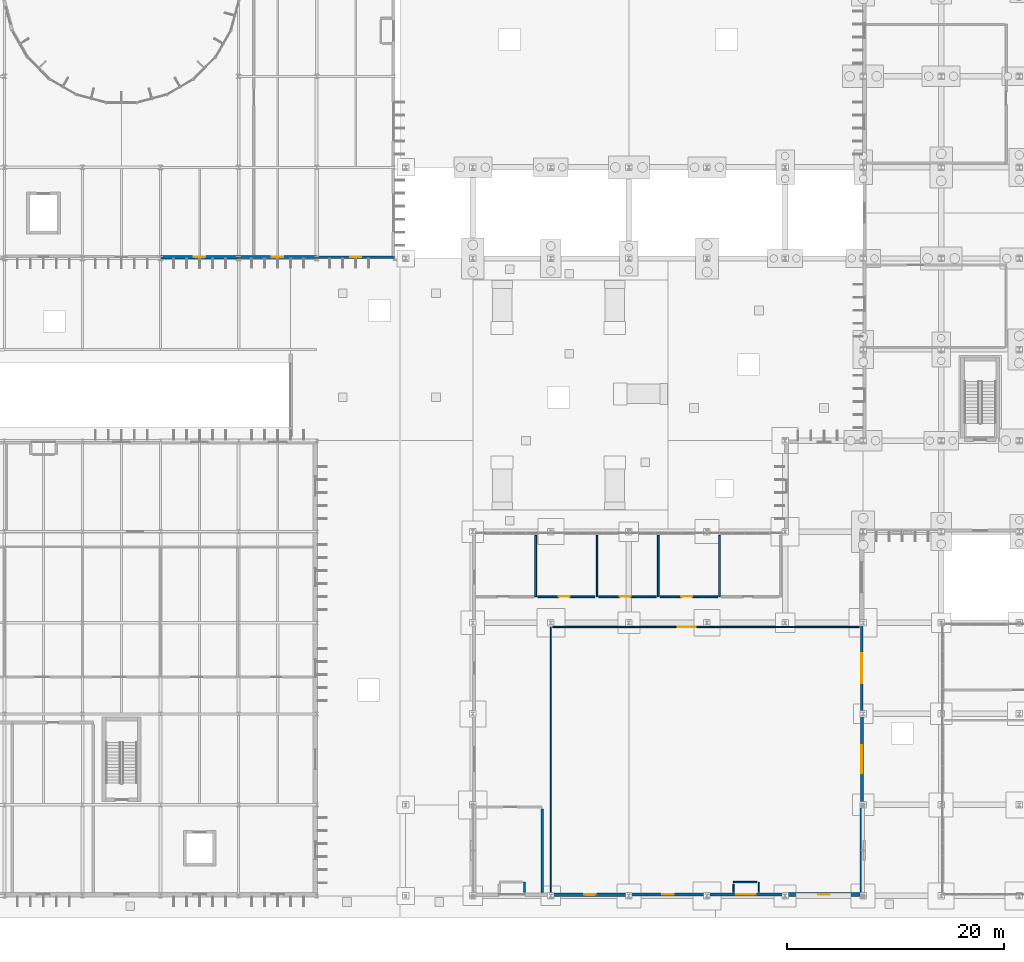
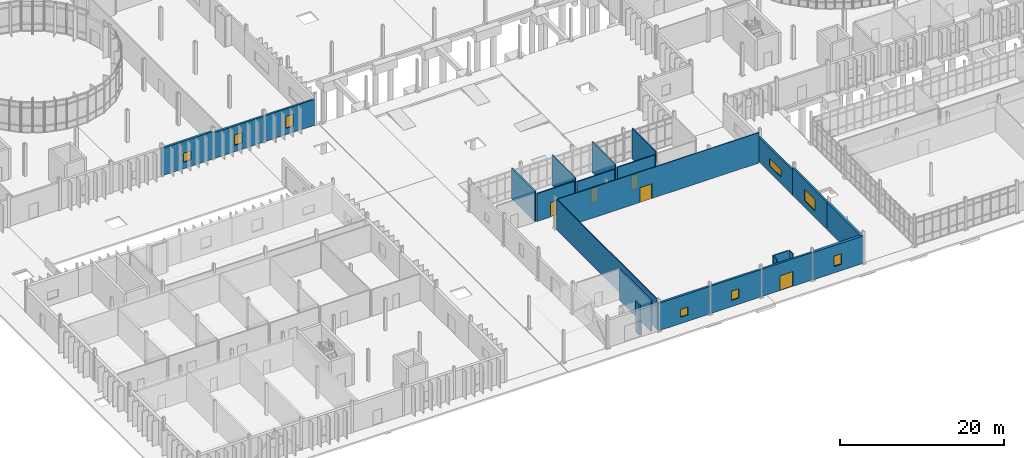
# One storey, part 91 of 118: 24 walls, 8 windows, 5 doors, 13 openings.
"""IFC4 building model written with IfcOpenShell, lengths in metres."""

from ifc_helpers import new_model, si_unit, direction, frame, frame_2d, origin, place, context, subcontext, project, spatial, rectangle, extrude, material, layer, layer_set, type_object, element, fill, save


model = new_model("IFC4")

# Units and contexts
model_context = context("Model", 3, precision=1e-05, world=origin(), true_north=direction((0.0, 1.0)))
body_context = subcontext(model_context, "Body", "Model", "MODEL_VIEW")
ifc_project = project(units=[si_unit("LENGTHUNIT", "METRE"), si_unit("AREAUNIT", "SQUARE_METRE"), si_unit("VOLUMEUNIT", "CUBIC_METRE"), si_unit("PLANEANGLEUNIT", "RADIAN"), si_unit("MASSUNIT", "GRAM", prefix="KILO")], contexts=[model_context])

# Site, building, storey
site_placement = place(None, origin())
site = spatial("IfcSite", under=ifc_project, at=site_placement, CompositionType="ELEMENT")
building_placement = place(site_placement, origin())
building = spatial("IfcBuilding", under=site, at=building_placement, Name="Qelthora Terrace Specialist Clinic", CompositionType="ELEMENT")
storey_placement = place(building_placement, origin())
storey = spatial("IfcBuildingStorey", under=building, at=storey_placement, Name="L00", CompositionType="ELEMENT", Elevation=0.0)

# Wall, opening, door
ifc_material_1 = material(Name="Precast concrete C40/50", Category="concrete")
ifc_layer_1 = layer(ifc_material_1, 0.260009765625)
ifc_layer_set_1 = layer_set([ifc_layer_1], Name="Precast concrete C40/50")
wall_type_1 = type_object("IfcWallType", Name="WAL-EXT-260-PC40", PredefinedType="SOLIDWALL", material=ifc_layer_set_1)
wall_1_placement = place(storey_placement, frame((79.199951171875, 0.1201171875, 0.0), z_axis=(0.0, 0.0, 1.0), x_axis=(1.0, 0.0, 0.0)))
wall_1 = element("IfcWall", 1, at=wall_1_placement, inside=storey, type_object=wall_type_1, Name="L00 external precast wall 4", PredefinedType="SOLIDWALL", context=body_context, shape_type="SweptSolid", body=[
    extrude(rectangle(XDim=7.199951171875, YDim=0.260009765625, at=frame_2d((3.60009765625, 0.0))), origin(), (0.0, 0.0, 1.0), 4.08203125),
])
opening_1_placement = place(wall_1_placement, frame((2.699951171875, 0.0, 0.0)))
opening_1 = element("IfcOpeningElement", 2, at=opening_1_placement, cuts=wall_1, Name="Opening DE-HALL-02", PredefinedType="OPENING", context=body_context, shape_type="SweptSolid", body=[
    extrude(rectangle(XDim=1.800048828125, YDim=2.199951171875, at=frame_2d((0.89990234375, 1.10009765625))), frame((0.0, 0.139892578125, 0.0), z_axis=(0.0, -1.0, 0.0), x_axis=(1.0, 0.0, 0.0)), (0.0, 0.0, 1.0), 0.280029296875),
])
ifc_material_2 = material(Name="Steel S355", Category="steel")
door_type_1 = type_object("IfcDoorType", Name="DOR-EXT-1800X2200", OperationType="NOTDEFINED", PredefinedType="DOOR", material=ifc_material_2)
door_1_placement = place(opening_1_placement, frame((1.800048828125, 0.0, 0.0), z_axis=(0.0, 0.0, 1.0), x_axis=(-1.0, 0.0, 0.0)))
door_1 = element("IfcDoor", 3, at=door_1_placement, inside=storey, type_object=door_type_1, Name="Exterior entrance/exit door DE-HALL-02", OperationType="DOUBLE_DOOR_SINGLE_SWING", OverallHeight=2.199951171875, OverallWidth=1.800048828125, PredefinedType="DOOR", context=body_context, shape_type="SweptSolid", body=[
    extrude(rectangle(XDim=1.800048828125, YDim=2.199951171875, at=frame_2d((0.89990234375, 1.10009765625))), frame((0.0, 0.02490234375, 0.0), z_axis=(0.0, -1.0, 0.0), x_axis=(1.0, 0.0, 0.0)), (0.0, 0.0, 1.0), 0.050048828125),
])
fill(opening_1, door_1)

# Wall, opening, window
wall_2_placement = place(storey_placement, frame((93.47998046875, 16.800048828125, 0.0), z_axis=(0.0, 0.0, 1.0), x_axis=(0.0, 1.0, 0.0)))
wall_2 = element("IfcWall", 4, at=wall_2_placement, inside=storey, type_object=wall_type_1, Name="L00 external precast wall 59", PredefinedType="SOLIDWALL", context=body_context, shape_type="SweptSolid", body=[
    extrude(rectangle(XDim=8.39990234375, YDim=0.260009765625, at=frame_2d((4.199951171875, 0.0))), origin(), (0.0, 0.0, 1.0), 3.69091796875),
])
opening_2_placement = place(wall_2_placement, frame((2.800048828125, 0.0, 0.949951171875)))
opening_2 = element("IfcOpeningElement", 5, at=opening_2_placement, cuts=wall_2, Name="Opening WN-L00-045", PredefinedType="OPENING", context=body_context, shape_type="SweptSolid", body=[
    extrude(rectangle(XDim=2.800048828125, YDim=1.14990234375, at=frame_2d((1.39990234375, 0.574951171875))), frame((0.0, 0.139892578125, 0.0), z_axis=(0.0, -1.0, 0.0), x_axis=(1.0, 0.0, 0.0)), (0.0, 0.0, 1.0), 0.280029296875),
])
ifc_material_3 = material(Name="Low-E triple-silver insulating glass", Category="glass")
window_type_1 = type_object("IfcWindowType", Name="WIN-2800X1150", PartitioningType="DOUBLE_PANEL_VERTICAL", PredefinedType="WINDOW", material=ifc_material_3)
window_1_placement = place(opening_2_placement, origin())
window_1 = element("IfcWindow", 6, at=window_1_placement, inside=storey, type_object=window_type_1, Name="Clinical window WN-L00-045", OverallHeight=1.14990234375, OverallWidth=2.800048828125, PartitioningType="SINGLE_PANEL", PredefinedType="WINDOW", context=body_context, shape_type="SweptSolid", body=[
    extrude(rectangle(XDim=2.800048828125, YDim=1.14990234375, at=frame_2d((1.39990234375, 0.574951171875))), frame((0.0, 0.030029296875, 0.0), z_axis=(0.0, -1.0, 0.0), x_axis=(1.0, 0.0, 0.0)), (0.0, 0.0, 1.0), 0.06005859375),
])
fill(opening_2, window_1)

wall_3_placement = place(storey_placement, frame((43.199951171875, 58.919921875, 0.0), z_axis=(0.0, 0.0, 1.0), x_axis=(1.0, 0.0, 0.0)))
wall_3 = element("IfcWall", 7, at=wall_3_placement, inside=storey, type_object=wall_type_1, Name="L00 external precast wall 89", PredefinedType="SOLIDWALL", context=body_context, shape_type="SweptSolid", body=[
    extrude(rectangle(XDim=7.199951171875, YDim=0.260009765625, at=frame_2d((3.60009765625, 0.0))), origin(), (0.0, 0.0, 1.0), 3.84912109375),
])
opening_3_placement = place(wall_3_placement, frame((3.074951171875, 0.0, 0.949951171875)))
opening_3 = element("IfcOpeningElement", 8, at=opening_3_placement, cuts=wall_3, Name="Opening WN-L00-068", PredefinedType="OPENING", context=body_context, shape_type="SweptSolid", body=[
    extrude(rectangle(XDim=1.050048828125, YDim=1.75, at=frame_2d((0.52490234375, 0.875))), frame((0.0, 0.139892578125, 0.0), z_axis=(0.0, -1.0, 0.0), x_axis=(1.0, 0.0, 0.0)), (0.0, 0.0, 1.0), 0.280029296875),
])
window_type_2 = type_object("IfcWindowType", Name="WIN-1050X1750", PartitioningType="SINGLE_PANEL", PredefinedType="WINDOW", material=ifc_material_3)
window_2_placement = place(opening_3_placement, origin())
window_2 = element("IfcWindow", 9, at=window_2_placement, inside=storey, type_object=window_type_2, Name="Clinical window WN-L00-068", OverallHeight=1.75, OverallWidth=1.050048828125, PartitioningType="SINGLE_PANEL", PredefinedType="WINDOW", context=body_context, shape_type="SweptSolid", body=[
    extrude(rectangle(XDim=1.050048828125, YDim=1.75, at=frame_2d((0.52490234375, 0.875))), frame((0.0, 0.030029296875, 0.0), z_axis=(0.0, -1.0, 0.0), x_axis=(1.0, 0.0, 0.0)), (0.0, 0.0, 1.0), 0.06005859375),
])
fill(opening_3, window_2)

ifc_layer_2 = layer(ifc_material_1, 0.280029296875)
ifc_layer_set_2 = layer_set([ifc_layer_2], Name="Precast concrete C40/50")
wall_type_2 = type_object("IfcWallType", Name="WAL-EXT-280-PC40", PredefinedType="SOLIDWALL", material=ifc_layer_set_2)
wall_4_placement = place(storey_placement, frame((72.0, 0.1201171875, 0.0), z_axis=(0.0, 0.0, 1.0), x_axis=(1.0, 0.0, 0.0)))
wall_4 = element("IfcWall", 10, at=wall_4_placement, inside=storey, type_object=wall_type_2, Name="L00 external precast wall 3", PredefinedType="SOLIDWALL", context=body_context, shape_type="SweptSolid", body=[
    extrude(rectangle(XDim=7.199951171875, YDim=0.280029296875, at=frame_2d((3.60009765625, 0.0))), origin(), (0.0, 0.0, 1.0), 4.08203125),
])
opening_4_placement = place(wall_4_placement, frame((3.074951171875, 0.0, 0.949951171875)))
opening_4 = element("IfcOpeningElement", 11, at=opening_4_placement, cuts=wall_4, Name="Opening WN-L00-002", PredefinedType="OPENING", context=body_context, shape_type="SweptSolid", body=[
    extrude(rectangle(XDim=1.050048828125, YDim=1.35009765625, at=frame_2d((0.52490234375, 0.675048828125))), frame((0.0, 0.14990234375, 0.0), z_axis=(0.0, -1.0, 0.0), x_axis=(1.0, 0.0, 0.0)), (0.0, 0.0, 1.0), 0.300048828125),
])
window_type_3 = type_object("IfcWindowType", Name="WIN-1050X1350", PartitioningType="SINGLE_PANEL", PredefinedType="WINDOW", material=ifc_material_3)
window_3_placement = place(opening_4_placement, origin())
window_3 = element("IfcWindow", 12, at=window_3_placement, inside=storey, type_object=window_type_3, Name="Clinical window WN-L00-002", OverallHeight=1.35009765625, OverallWidth=1.050048828125, PartitioningType="SINGLE_PANEL", PredefinedType="WINDOW", context=body_context, shape_type="SweptSolid", body=[
    extrude(rectangle(XDim=1.050048828125, YDim=1.35009765625, at=frame_2d((0.52490234375, 0.675048828125))), frame((0.0, 0.030029296875, 0.0), z_axis=(0.0, -1.0, 0.0), x_axis=(1.0, 0.0, 0.0)), (0.0, 0.0, 1.0), 0.06005859375),
])
fill(opening_4, window_3)

wall_5_placement = place(storey_placement, frame((93.47998046875, 8.39990234375, 0.0), z_axis=(0.0, 0.0, 1.0), x_axis=(0.0, 1.0, 0.0)))
wall_5 = element("IfcWall", 13, at=wall_5_placement, inside=storey, type_object=wall_type_2, Name="L00 external precast wall 58", PredefinedType="SOLIDWALL", context=body_context, shape_type="SweptSolid", body=[
    extrude(rectangle(XDim=8.400146484375, YDim=0.280029296875, at=frame_2d((4.2001953125, 0.0))), origin(), (0.0, 0.0, 1.0), 4.08203125),
])
opening_5_placement = place(wall_5_placement, frame((2.89990234375, 0.0, 0.949951171875)))
opening_5 = element("IfcOpeningElement", 14, at=opening_5_placement, cuts=wall_5, Name="Opening WN-L00-044", PredefinedType="OPENING", context=body_context, shape_type="SweptSolid", body=[
    extrude(rectangle(XDim=2.60009765625, YDim=1.75, at=frame_2d((1.300048828125, 0.875))), frame((0.0, 0.14990234375, 0.0), z_axis=(0.0, -1.0, 0.0), x_axis=(1.0, 0.0, 0.0)), (0.0, 0.0, 1.0), 0.300048828125),
])
window_type_4 = type_object("IfcWindowType", Name="WIN-2600X1750", PartitioningType="DOUBLE_PANEL_VERTICAL", PredefinedType="WINDOW", material=ifc_material_3)
window_4_placement = place(opening_5_placement, origin())
window_4 = element("IfcWindow", 15, at=window_4_placement, inside=storey, type_object=window_type_4, Name="Clinical window WN-L00-044", OverallHeight=1.75, OverallWidth=2.60009765625, PartitioningType="SINGLE_PANEL", PredefinedType="WINDOW", context=body_context, shape_type="SweptSolid", body=[
    extrude(rectangle(XDim=2.60009765625, YDim=1.75, at=frame_2d((1.300048828125, 0.875))), frame((0.0, 0.030029296875, 0.0), z_axis=(0.0, -1.0, 0.0), x_axis=(1.0, 0.0, 0.0)), (0.0, 0.0, 1.0), 0.06005859375),
])
fill(opening_5, window_4)

wall_6_placement = place(storey_placement, frame((36.0, 58.919921875, 0.0), z_axis=(0.0, 0.0, 1.0), x_axis=(1.0, 0.0, 0.0)))
wall_6 = element("IfcWall", 16, at=wall_6_placement, inside=storey, type_object=wall_type_2, Name="L00 external precast wall 88", PredefinedType="SOLIDWALL", context=body_context, shape_type="SweptSolid", body=[
    extrude(rectangle(XDim=7.199951171875, YDim=0.280029296875, at=frame_2d((3.60009765625, 0.0))), origin(), (0.0, 0.0, 1.0), 3.84912109375),
])
opening_6_placement = place(wall_6_placement, frame((3.074951171875, 0.0, 0.949951171875)))
opening_6 = element("IfcOpeningElement", 17, at=opening_6_placement, cuts=wall_6, Name="Opening WN-L00-067", PredefinedType="OPENING", context=body_context, shape_type="SweptSolid", body=[
    extrude(rectangle(XDim=1.050048828125, YDim=1.550048828125, at=frame_2d((0.52490234375, 0.77490234375))), frame((0.0, 0.14990234375, 0.0), z_axis=(0.0, -1.0, 0.0), x_axis=(1.0, 0.0, 0.0)), (0.0, 0.0, 1.0), 0.300048828125),
])
window_type_5 = type_object("IfcWindowType", Name="WIN-1050X1550", PartitioningType="SINGLE_PANEL", PredefinedType="WINDOW", material=ifc_material_3)
window_5_placement = place(opening_6_placement, origin())
window_5 = element("IfcWindow", 18, at=window_5_placement, inside=storey, type_object=window_type_5, Name="Clinical window WN-L00-067", OverallHeight=1.550048828125, OverallWidth=1.050048828125, PartitioningType="SINGLE_PANEL", PredefinedType="WINDOW", context=body_context, shape_type="SweptSolid", body=[
    extrude(rectangle(XDim=1.050048828125, YDim=1.550048828125, at=frame_2d((0.52490234375, 0.77490234375))), frame((0.0, 0.030029296875, 0.0), z_axis=(0.0, -1.0, 0.0), x_axis=(1.0, 0.0, 0.0)), (0.0, 0.0, 1.0), 0.06005859375),
])
fill(opening_6, window_5)

ifc_layer_3 = layer(ifc_material_1, 0.300048828125)
ifc_layer_set_3 = layer_set([ifc_layer_3], Name="Precast concrete C40/50")
wall_type_3 = type_object("IfcWallType", Name="WAL-EXT-300-PC40", PredefinedType="SOLIDWALL", material=ifc_layer_set_3)
wall_7_placement = place(storey_placement, frame((64.800048828125, 0.1201171875, 0.0), z_axis=(0.0, 0.0, 1.0), x_axis=(1.0, 0.0, 0.0)))
wall_7 = element("IfcWall", 19, at=wall_7_placement, inside=storey, type_object=wall_type_3, Name="L00 external precast wall 2", PredefinedType="SOLIDWALL", context=body_context, shape_type="SweptSolid", body=[
    extrude(rectangle(XDim=7.199951171875, YDim=0.300048828125, at=frame_2d((3.60009765625, 0.0))), origin(), (0.0, 0.0, 1.0), 4.08203125),
])
opening_7_placement = place(wall_7_placement, frame((3.074951171875, 0.0, 0.949951171875)))
opening_7 = element("IfcOpeningElement", 20, at=opening_7_placement, cuts=wall_7, Name="Opening WN-L00-001", PredefinedType="OPENING", context=body_context, shape_type="SweptSolid", body=[
    extrude(rectangle(XDim=1.050048828125, YDim=1.14990234375, at=frame_2d((0.52490234375, 0.574951171875))), frame((0.0, 0.159912109375, 0.0), z_axis=(0.0, -1.0, 0.0), x_axis=(1.0, 0.0, 0.0)), (0.0, 0.0, 1.0), 0.320068359375),
])
window_type_6 = type_object("IfcWindowType", Name="WIN-1050X1150", PartitioningType="SINGLE_PANEL", PredefinedType="WINDOW", material=ifc_material_3)
window_6_placement = place(opening_7_placement, origin())
window_6 = element("IfcWindow", 21, at=window_6_placement, inside=storey, type_object=window_type_6, Name="Clinical window WN-L00-001", OverallHeight=1.14990234375, OverallWidth=1.050048828125, PartitioningType="SINGLE_PANEL", PredefinedType="WINDOW", context=body_context, shape_type="SweptSolid", body=[
    extrude(rectangle(XDim=1.050048828125, YDim=1.14990234375, at=frame_2d((0.52490234375, 0.574951171875))), frame((0.0, 0.030029296875, 0.0), z_axis=(0.0, -1.0, 0.0), x_axis=(1.0, 0.0, 0.0)), (0.0, 0.0, 1.0), 0.06005859375),
])
fill(opening_7, window_6)

# Wall
wall_8_placement = place(storey_placement, frame((93.47998046875, 0.0, 0.0), z_axis=(0.0, 0.0, 1.0), x_axis=(0.0, 1.0, 0.0)))
element("IfcWall", 22, at=wall_8_placement, inside=storey, type_object=wall_type_3, Name="L00 external precast wall 57", PredefinedType="SOLIDWALL", context=body_context, shape_type="SweptSolid", body=[
    extrude(rectangle(XDim=8.39990234375, YDim=0.300048828125, at=frame_2d((4.199951171875, 0.0))), origin(), (0.0, 0.0, 1.0), 4.08203125),
])

# Wall, opening, window
wall_9_placement = place(storey_placement, frame((28.800048828125, 58.919921875, 0.0), z_axis=(0.0, 0.0, 1.0), x_axis=(1.0, 0.0, 0.0)))
wall_9 = element("IfcWall", 23, at=wall_9_placement, inside=storey, type_object=wall_type_3, Name="L00 external precast wall 87", PredefinedType="SOLIDWALL", context=body_context, shape_type="SweptSolid", body=[
    extrude(rectangle(XDim=7.199951171875, YDim=0.300048828125, at=frame_2d((3.60009765625, 0.0))), origin(), (0.0, 0.0, 1.0), 4.08203125),
])
opening_8_placement = place(wall_9_placement, frame((3.074951171875, 0.0, 0.949951171875)))
opening_8 = element("IfcOpeningElement", 24, at=opening_8_placement, cuts=wall_9, Name="Opening WN-L00-066", PredefinedType="OPENING", context=body_context, shape_type="SweptSolid", body=[
    extrude(rectangle(XDim=1.050048828125, YDim=1.35009765625, at=frame_2d((0.52490234375, 0.675048828125))), frame((0.0, 0.159912109375, 0.0), z_axis=(0.0, -1.0, 0.0), x_axis=(1.0, 0.0, 0.0)), (0.0, 0.0, 1.0), 0.320068359375),
])
window_7_placement = place(opening_8_placement, origin())
window_7 = element("IfcWindow", 25, at=window_7_placement, inside=storey, type_object=window_type_3, Name="Clinical window WN-L00-066", OverallHeight=1.35009765625, OverallWidth=1.050048828125, PartitioningType="SINGLE_PANEL", PredefinedType="WINDOW", context=body_context, shape_type="SweptSolid", body=[
    extrude(rectangle(XDim=1.050048828125, YDim=1.35009765625, at=frame_2d((0.52490234375, 0.675048828125))), frame((0.0, 0.030029296875, 0.0), z_axis=(0.0, -1.0, 0.0), x_axis=(1.0, 0.0, 0.0)), (0.0, 0.0, 1.0), 0.06005859375),
])
fill(opening_8, window_7)

ifc_layer_4 = layer(ifc_material_1, 0.3798828125)
ifc_layer_set_4 = layer_set([ifc_layer_4], Name="Precast concrete C40/50")
wall_type_4 = type_object("IfcWallType", Name="WAL-EXT-380-PC40", PredefinedType="SOLIDWALL", material=ifc_layer_set_4)
wall_10_placement = place(storey_placement, frame((86.39990234375, 0.1201171875, 0.0), z_axis=(0.0, 0.0, 1.0), x_axis=(1.0, 0.0, 0.0)))
wall_10 = element("IfcWall", 26, at=wall_10_placement, inside=storey, type_object=wall_type_4, Name="L00 external precast wall 5", PredefinedType="SOLIDWALL", context=body_context, shape_type="SweptSolid", body=[
    extrude(rectangle(XDim=7.2001953125, YDim=0.3798828125, at=frame_2d((3.60009765625, 0.0))), origin(), (0.0, 0.0, 1.0), 4.08203125),
])
opening_9_placement = place(wall_10_placement, frame((3.074951171875, 0.0, 0.949951171875)))
opening_9 = element("IfcOpeningElement", 27, at=opening_9_placement, cuts=wall_10, Name="Opening WN-L00-003", PredefinedType="OPENING", context=body_context, shape_type="SweptSolid", body=[
    extrude(rectangle(XDim=1.050048828125, YDim=1.550048828125, at=frame_2d((0.52490234375, 0.77490234375))), frame((0.0, 0.199951171875, 0.0), z_axis=(0.0, -1.0, 0.0), x_axis=(1.0, 0.0, 0.0)), (0.0, 0.0, 1.0), 0.39990234375),
])
window_8_placement = place(opening_9_placement, origin())
window_8 = element("IfcWindow", 28, at=window_8_placement, inside=storey, type_object=window_type_5, Name="Clinical window WN-L00-003", OverallHeight=1.550048828125, OverallWidth=1.050048828125, PartitioningType="SINGLE_PANEL", PredefinedType="WINDOW", context=body_context, shape_type="SweptSolid", body=[
    extrude(rectangle(XDim=1.050048828125, YDim=1.550048828125, at=frame_2d((0.52490234375, 0.77490234375))), frame((0.0, 0.030029296875, 0.0), z_axis=(0.0, -1.0, 0.0), x_axis=(1.0, 0.0, 0.0)), (0.0, 0.0, 1.0), 0.06005859375),
])
fill(opening_9, window_8)

# Walls
ifc_material_4 = material(Name="Gypsum acoustic wallboard", Category="gypsum")
ifc_layer_5 = layer(ifc_material_4, 0.139892578125)
ifc_layer_set_5 = layer_set([ifc_layer_5], Name="Gypsum acoustic wallboard")
wall_type_5 = type_object("IfcWallType", Name="WAL-INT-ACU-140", PredefinedType="PARTITIONING", material=ifc_layer_set_5)
wall_11_placement = place(storey_placement, frame((83.780029296875, 1.280029296875, 0.0), z_axis=(0.0, 0.0, 1.0), x_axis=(-1.0, 0.0, 0.0)))
element("IfcWall", 29, at=wall_11_placement, inside=storey, type_object=wall_type_5, Name="Interior clinical partition IWAL-L00-0027", PredefinedType="PARTITIONING", context=body_context, shape_type="SweptSolid", body=[
    extrude(rectangle(XDim=2.14013671875, YDim=0.139892578125, at=frame_2d((1.070068359375, 0.0))), origin(), (0.0, 0.0, 1.0), 4.544921875),
])
ifc_material_5 = material(Name="Gypsum fire-rated wallboard", Category="gypsum")
ifc_layer_6 = layer(ifc_material_5, 0.179931640625)
ifc_layer_set_6 = layer_set([ifc_layer_6], Name="Gypsum fire-rated wallboard")
wall_type_6 = type_object("IfcWallType", Name="WAL-INT-CLN-180", PredefinedType="PARTITIONING", material=ifc_layer_set_6)
wall_12_placement = place(storey_placement, frame((63.39990234375, 33.260009765625, 0.0), z_axis=(0.0, 0.0, 1.0), x_axis=(0.0, -1.0, 0.0)))
element("IfcWall", 30, at=wall_12_placement, inside=storey, type_object=wall_type_6, Name="Interior clinical partition IWAL-L00-0031", PredefinedType="PARTITIONING", context=body_context, shape_type="SweptSolid", body=[
    extrude(rectangle(XDim=5.659912109375, YDim=0.179931640625, at=frame_2d((2.830078125, 0.0))), origin(), (0.0, 0.0, 1.0), 4.544921875),
])

# Wall, opening, door
ifc_layer_7 = layer(ifc_material_5, 0.159912109375)
ifc_layer_set_7 = layer_set([ifc_layer_7], Name="Gypsum fire-rated wallboard")
wall_type_7 = type_object("IfcWallType", Name="WAL-INT-COR-160", PredefinedType="PARTITIONING", material=ifc_layer_set_7)
wall_13_placement = place(storey_placement, frame((68.8701171875, 27.60009765625, 0.0), z_axis=(0.0, 0.0, 1.0), x_axis=(-1.0, 0.0, 0.0)))
wall_13 = element("IfcWall", 31, at=wall_13_placement, inside=storey, type_object=wall_type_7, Name="Interior clinical partition IWAL-L00-0034", PredefinedType="PARTITIONING", context=body_context, shape_type="SweptSolid", body=[
    extrude(rectangle(XDim=5.2900390625, YDim=0.159912109375, at=frame_2d((2.64501953125, 0.0))), origin(), (0.0, 0.0, 1.0), 4.135009765625),
])
opening_10_placement = place(wall_13_placement, frame((2.324951171875, 0.0, 0.0)))
opening_10 = element("IfcOpeningElement", 32, at=opening_10_placement, cuts=wall_13, Name="Opening DI-L00-0013", PredefinedType="OPENING", context=body_context, shape_type="SweptSolid", body=[
    extrude(rectangle(XDim=1.0400390625, YDim=2.14990234375, at=frame_2d((0.52001953125, 1.074951171875))), frame((0.0, 0.08984375, 0.0), z_axis=(0.0, -1.0, 0.0), x_axis=(1.0, 0.0, 0.0)), (0.0, 0.0, 1.0), 0.179931640625),
])
ifc_material_6 = material(Name="Glulam timber GL28h", Category="wood")
door_type_2 = type_object("IfcDoorType", Name="DOR-CON-1040X2150", OperationType="NOTDEFINED", PredefinedType="DOOR", material=ifc_material_6)
door_2_placement = place(opening_10_placement, frame((1.0400390625, 0.0, 0.0), z_axis=(0.0, 0.0, 1.0), x_axis=(-1.0, 0.0, 0.0)))
door_2 = element("IfcDoor", 33, at=door_2_placement, inside=storey, type_object=door_type_2, Name="Interior clinical door DI-L00-0013", OperationType="SINGLE_SWING_RIGHT", OverallHeight=2.14990234375, OverallWidth=1.0400390625, PredefinedType="DOOR", context=body_context, shape_type="SweptSolid", body=[
    extrude(rectangle(XDim=1.0400390625, YDim=2.14990234375, at=frame_2d((0.52001953125, 1.074951171875))), frame((0.0, 0.02490234375, 0.0), z_axis=(0.0, -1.0, 0.0), x_axis=(1.0, 0.0, 0.0)), (0.0, 0.0, 1.0), 0.050048828125),
])
fill(opening_10, door_2)

wall_14_placement = place(storey_placement, frame((74.52001953125, 27.60009765625, 0.0), z_axis=(0.0, 0.0, 1.0), x_axis=(-1.0, 0.0, 0.0)))
wall_14 = element("IfcWall", 34, at=wall_14_placement, inside=storey, type_object=wall_type_7, Name="Interior clinical partition IWAL-L00-0036", PredefinedType="PARTITIONING", context=body_context, shape_type="SweptSolid", body=[
    extrude(rectangle(XDim=5.2900390625, YDim=0.159912109375, at=frame_2d((2.64501953125, 0.0))), origin(), (0.0, 0.0, 1.0), 3.927978515625),
])
opening_11_placement = place(wall_14_placement, frame((2.344970703125, 0.0, 0.0)))
opening_11 = element("IfcOpeningElement", 35, at=opening_11_placement, cuts=wall_14, Name="Opening DI-L00-0014", PredefinedType="OPENING", context=body_context, shape_type="SweptSolid", body=[
    extrude(rectangle(XDim=1.0, YDim=2.14990234375, at=frame_2d((0.5, 1.074951171875))), frame((0.0, 0.08984375, 0.0), z_axis=(0.0, -1.0, 0.0), x_axis=(1.0, 0.0, 0.0)), (0.0, 0.0, 1.0), 0.179931640625),
])
door_type_3 = type_object("IfcDoorType", Name="DOR-CON-1000X2150", OperationType="NOTDEFINED", PredefinedType="DOOR", material=ifc_material_6)
door_3_placement = place(opening_11_placement, frame((1.0, 0.0, 0.0), z_axis=(0.0, 0.0, 1.0), x_axis=(-1.0, 0.0, 0.0)))
door_3 = element("IfcDoor", 36, at=door_3_placement, inside=storey, type_object=door_type_3, Name="Interior clinical door DI-L00-0014", OperationType="SINGLE_SWING_LEFT", OverallHeight=2.14990234375, OverallWidth=1.0, PredefinedType="DOOR", context=body_context, shape_type="SweptSolid", body=[
    extrude(rectangle(XDim=1.0, YDim=2.14990234375, at=frame_2d((0.5, 1.074951171875))), frame((0.0, 0.02490234375, 0.0), z_axis=(0.0, -1.0, 0.0), x_axis=(1.0, 0.0, 0.0)), (0.0, 0.0, 1.0), 0.050048828125),
])
fill(opening_11, door_3)

# Wall
ifc_layer_8 = layer(ifc_material_3, 0.110107421875)
ifc_layer_set_8 = layer_set([ifc_layer_8], Name="Low-E triple-silver insulating glass")
wall_type_8 = type_object("IfcWallType", Name="WAL-INT-GLA-110", PredefinedType="MOVABLE", material=ifc_layer_set_8)
wall_15_placement = place(storey_placement, frame((64.800048828125, 0.340087890625, 0.0), z_axis=(0.0, 0.0, 1.0), x_axis=(0.0, 1.0, 0.0)))
element("IfcWall", 37, at=wall_15_placement, inside=storey, type_object=wall_type_8, Name="Interior clinical partition IWAL-L00-0029", PredefinedType="MOVABLE", context=body_context, shape_type="SweptSolid", body=[
    extrude(rectangle(XDim=24.4599609375, YDim=0.110107421875, at=frame_2d((12.22998046875, 0.0))), origin(), (0.0, 0.0, 1.0), 4.544921875),
])

# Wall, opening, door
wall_16_placement = place(storey_placement, frame((64.97998046875, 24.800048828125, 0.0), z_axis=(0.0, 0.0, 1.0), x_axis=(1.0, 0.0, 0.0)))
wall_16 = element("IfcWall", 38, at=wall_16_placement, inside=storey, type_object=wall_type_8, Name="Interior clinical partition IWAL-L00-0030", PredefinedType="MOVABLE", context=body_context, shape_type="SweptSolid", body=[
    extrude(rectangle(XDim=28.280029296875, YDim=0.110107421875, at=frame_2d((14.14013671875, 0.0))), origin(), (0.0, 0.0, 1.0), 4.544921875),
])
opening_12_placement = place(wall_16_placement, frame((11.514892578125, 0.0, 0.0)))
opening_12 = element("IfcOpeningElement", 39, at=opening_12_placement, cuts=wall_16, Name="Opening DI-L00-0011", PredefinedType="OPENING", context=body_context, shape_type="SweptSolid", body=[
    extrude(rectangle(XDim=1.64990234375, YDim=2.199951171875, at=frame_2d((0.824951171875, 1.10009765625))), frame((0.0, 0.06494140625, 0.0), z_axis=(0.0, -1.0, 0.0), x_axis=(1.0, 0.0, 0.0)), (0.0, 0.0, 1.0), 0.130126953125),
])
ifc_material_7 = material(Name="Aluminium anodized bronze", Category="aluminium")
door_type_4 = type_object("IfcDoorType", Name="DOR-GYM-1650X2200", OperationType="NOTDEFINED", PredefinedType="DOOR", material=ifc_material_7)
door_4_placement = place(opening_12_placement, frame((1.64990234375, 0.0, 0.0), z_axis=(0.0, 0.0, 1.0), x_axis=(-1.0, 0.0, 0.0)))
door_4 = element("IfcDoor", 40, at=door_4_placement, inside=storey, type_object=door_type_4, Name="Interior clinical door DI-L00-0011", OperationType="DOUBLE_DOOR_SINGLE_SWING", OverallHeight=2.199951171875, OverallWidth=1.64990234375, PredefinedType="DOOR", context=body_context, shape_type="SweptSolid", body=[
    extrude(rectangle(XDim=1.64990234375, YDim=2.199951171875, at=frame_2d((0.824951171875, 1.10009765625))), frame((0.0, 0.02490234375, 0.0), z_axis=(0.0, -1.0, 0.0), x_axis=(1.0, 0.0, 0.0)), (0.0, 0.0, 1.0), 0.050048828125),
])
fill(opening_12, door_4)

# Walls
wall_17_placement = place(storey_placement, frame((69.050048828125, 33.260009765625, 0.0), z_axis=(0.0, 0.0, 1.0), x_axis=(0.0, -1.0, 0.0)))
element("IfcWall", 41, at=wall_17_placement, inside=storey, type_object=wall_type_8, Name="Interior clinical partition IWAL-L00-0033", PredefinedType="MOVABLE", context=body_context, shape_type="SweptSolid", body=[
    extrude(rectangle(XDim=5.659912109375, YDim=0.110107421875, at=frame_2d((2.830078125, 0.0))), origin(), (0.0, 0.0, 1.0), 4.544921875),
])
ifc_layer_9 = layer(ifc_material_4, 0.10009765625)
ifc_layer_set_9 = layer_set([ifc_layer_9], Name="Gypsum acoustic wallboard")
wall_type_9 = type_object("IfcWallType", Name="WAL-INT-LGT-100", PredefinedType="PARTITIONING", material=ifc_layer_set_9)
wall_18_placement = place(storey_placement, frame((83.9599609375, 0.340087890625, 0.0), z_axis=(0.0, 0.0, 1.0), x_axis=(0.0, 1.0, 0.0)))
element("IfcWall", 42, at=wall_18_placement, inside=storey, type_object=wall_type_9, Name="Interior clinical partition IWAL-L00-0026", PredefinedType="PARTITIONING", context=body_context, shape_type="SweptSolid", body=[
    extrude(rectangle(XDim=0.93994140625, YDim=0.10009765625, at=frame_2d((0.469970703125, 0.0))), origin(), (0.0, 0.0, 1.0), 4.544921875),
])
ifc_layer_10 = layer(ifc_material_5, 0.199951171875)
ifc_layer_set_10 = layer_set([ifc_layer_10], Name="Gypsum fire-rated wallboard")
wall_type_10 = type_object("IfcWallType", Name="WAL-INT-SMK-200", PredefinedType="PARTITIONING", material=ifc_layer_set_10)
wall_19_placement = place(storey_placement, frame((62.360107421875, 0.340087890625, 0.0), z_axis=(0.0, 0.0, 1.0), x_axis=(0.0, 1.0, 0.0)))
element("IfcWall", 43, at=wall_19_placement, inside=storey, type_object=wall_type_10, Name="Interior clinical partition IWAL-L00-0021", PredefinedType="PARTITIONING", context=body_context, shape_type="SweptSolid", body=[
    extrude(rectangle(XDim=0.93994140625, YDim=0.199951171875, at=frame_2d((0.469970703125, 0.0))), origin(), (0.0, 0.0, 1.0), 4.544921875),
])
wall_20_placement = place(storey_placement, frame((64.0, 8.02001953125, 0.0), z_axis=(0.0, 0.0, 1.0), x_axis=(0.0, -1.0, 0.0)))
element("IfcWall", 44, at=wall_20_placement, inside=storey, type_object=wall_type_10, Name="Interior clinical partition IWAL-L00-0025", PredefinedType="PARTITIONING", context=body_context, shape_type="SweptSolid", body=[
    extrude(rectangle(XDim=7.679931640625, YDim=0.199951171875, at=frame_2d((3.83984375, 0.0))), origin(), (0.0, 0.0, 1.0), 4.544921875),
])
ifc_layer_11 = layer(ifc_material_4, 0.1201171875)
ifc_layer_set_11 = layer_set([ifc_layer_11], Name="Gypsum acoustic wallboard")
wall_type_11 = type_object("IfcWallType", Name="WAL-INT-STD-120", PredefinedType="PARTITIONING", material=ifc_layer_set_11)
wall_21_placement = place(storey_placement, frame((81.639892578125, 1.10009765625, 0.0), z_axis=(0.0, 0.0, 1.0), x_axis=(0.0, -1.0, 0.0)))
element("IfcWall", 45, at=wall_21_placement, inside=storey, type_object=wall_type_11, Name="Interior clinical partition IWAL-L00-0028", PredefinedType="PARTITIONING", context=body_context, shape_type="SweptSolid", body=[
    extrude(rectangle(XDim=0.760009765625, YDim=0.1201171875, at=frame_2d((0.3798828125, 0.0))), origin(), (0.0, 0.0, 1.0), 4.544921875),
])
ifc_material_8 = material(Name="Gypsum moisture-resistant", Category="gypsum")
ifc_layer_12 = layer(ifc_material_8, 0.14990234375)
ifc_layer_set_12 = layer_set([ifc_layer_12], Name="Gypsum moisture-resistant")
wall_type_12 = type_object("IfcWallType", Name="WAL-INT-WET-150", PredefinedType="PLUMBINGWALL", material=ifc_layer_set_12)
for number, where, z_axis, x_axis, name in (
    (46, (74.699951171875, 33.260009765625, 0.0), (0.0, 0.0, 1.0), (0.0, -1.0, 0.0), "Interior clinical partition IWAL-L00-0035"),
    (47, (80.35009765625, 33.260009765625, 0.0), (0.0, 0.0, 1.0), (0.0, -1.0, 0.0), "Interior clinical partition IWAL-L00-0037"),
):
    element("IfcWall", number, at=place(storey_placement, frame(where, z_axis=z_axis, x_axis=x_axis)), inside=storey, type_object=wall_type_12, Name=name, PredefinedType="PLUMBINGWALL", context=body_context, shape_type="SweptSolid", body=[
        extrude(rectangle(XDim=5.659912109375, YDim=0.14990234375, at=frame_2d((2.830078125, 0.0))), origin(), (0.0, 0.0, 1.0), 4.544921875),
    ])

# Wall, opening, door
wall_22_placement = place(storey_placement, frame((80.169921875, 27.60009765625, 0.0), z_axis=(0.0, 0.0, 1.0), x_axis=(-1.0, 0.0, 0.0)))
wall_22 = element("IfcWall", 48, at=wall_22_placement, inside=storey, type_object=wall_type_12, Name="Interior clinical partition IWAL-L00-0038", PredefinedType="PLUMBINGWALL", context=body_context, shape_type="SweptSolid", body=[
    extrude(rectangle(XDim=5.2900390625, YDim=0.14990234375, at=frame_2d((2.64501953125, 0.0))), origin(), (0.0, 0.0, 1.0), 4.0849609375),
])
opening_13_placement = place(wall_22_placement, frame((2.344970703125, 0.0, 0.0)))
opening_13 = element("IfcOpeningElement", 49, at=opening_13_placement, cuts=wall_22, Name="Opening DI-L00-0015", PredefinedType="OPENING", context=body_context, shape_type="SweptSolid", body=[
    extrude(rectangle(XDim=1.0, YDim=2.10009765625, at=frame_2d((0.5, 1.050048828125))), frame((0.0, 0.0849609375, 0.0), z_axis=(0.0, -1.0, 0.0), x_axis=(1.0, 0.0, 0.0)), (0.0, 0.0, 1.0), 0.169921875),
])
door_type_5 = type_object("IfcDoorType", Name="DOR-AWC-1000X2100", OperationType="NOTDEFINED", PredefinedType="DOOR", material=ifc_material_6)
door_5_placement = place(opening_13_placement, frame((1.0, 0.0, 0.0), z_axis=(0.0, 0.0, 1.0), x_axis=(-1.0, 0.0, 0.0)))
door_5 = element("IfcDoor", 50, at=door_5_placement, inside=storey, type_object=door_type_5, Name="Interior clinical door DI-L00-0015", OperationType="SINGLE_SWING_RIGHT", OverallHeight=2.10009765625, OverallWidth=1.0, PredefinedType="DOOR", context=body_context, shape_type="SweptSolid", body=[
    extrude(rectangle(XDim=1.0, YDim=2.10009765625, at=frame_2d((0.5, 1.050048828125))), frame((0.0, 0.02490234375, 0.0), z_axis=(0.0, -1.0, 0.0), x_axis=(1.0, 0.0, 0.0)), (0.0, 0.0, 1.0), 0.050048828125),
])
fill(opening_13, door_5)

save(model, "model.ifc")
